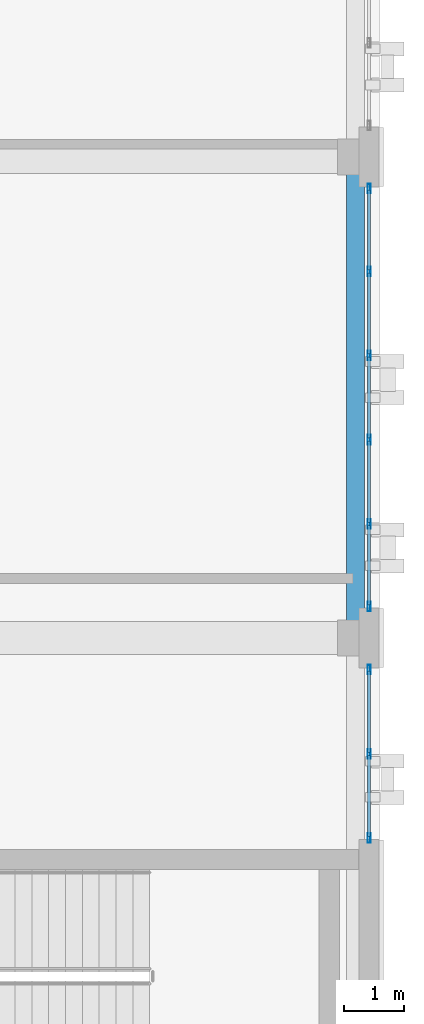
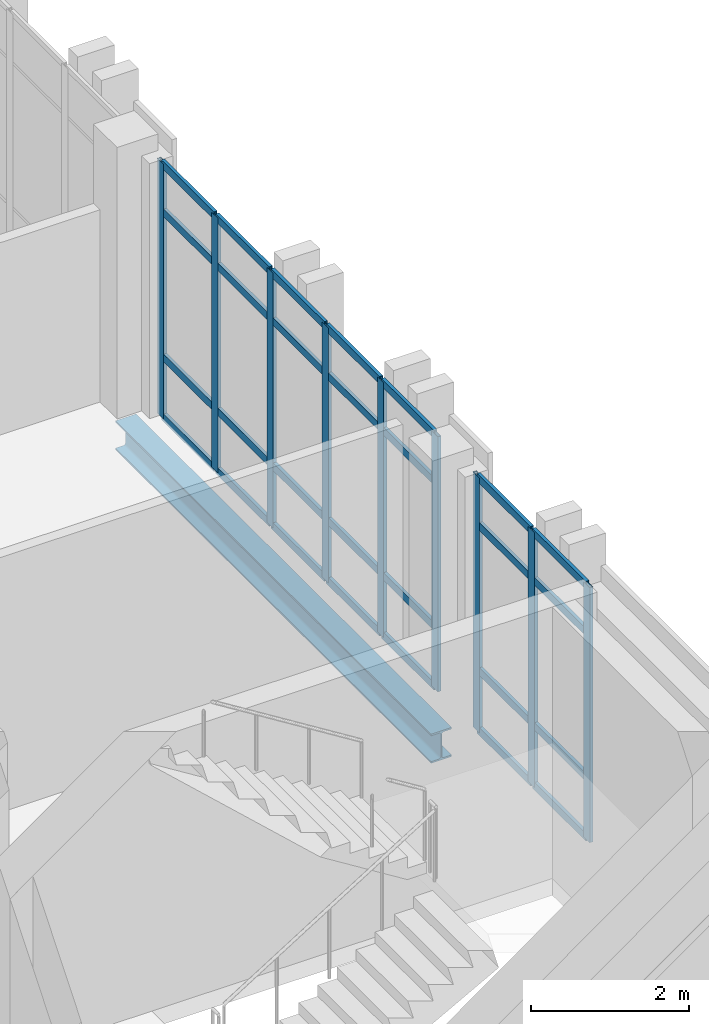
# One storey, part 9 of 22: 37 members, 1 beam, 2 elements without a shape of their own.
"""IFC4 building model written with IfcOpenShell, lengths in metres."""

from ifc_helpers import new_model, si_unit, direction, frame, origin, origin_2d, place, context, subcontext, project, spatial, hollow_rectangle, i_section, extrude, material, layer, layer_set, material_profile, profile_set, type_object, element, aggregate, save


model = new_model("IFC4")

# Units and contexts
model_context = context("Model", 3, precision=1e-05, world=origin(), true_north=direction((0.0, 1.0)))
body_context = subcontext(model_context, "Body", "Model", "MODEL_VIEW")
ifc_project = project(units=[si_unit("LENGTHUNIT", "METRE"), si_unit("AREAUNIT", "SQUARE_METRE"), si_unit("VOLUMEUNIT", "CUBIC_METRE"), si_unit("PLANEANGLEUNIT", "RADIAN"), si_unit("MASSUNIT", "GRAM", prefix="KILO")], contexts=[model_context])

# Site, building, storey
site_placement = place(None, origin())
site = spatial("IfcSite", under=ifc_project, at=site_placement, CompositionType="ELEMENT")
building_placement = place(site_placement, origin())
building = spatial("IfcBuilding", under=site, at=building_placement, Name="Qalavern Law Courts", CompositionType="ELEMENT")
storey_placement = place(building_placement, frame((0.0, 0.0, 35.39990234375)))
storey = spatial("IfcBuildingStorey", under=building, at=storey_placement, Name="L08", CompositionType="ELEMENT", Elevation=35.39990234375)

# Curtain wall, members
ifc_material_1 = material(Name="Anodised aluminium and insulated glazing", Category="aluminium")
ifc_layer = layer(ifc_material_1, 0.159912109375)
ifc_layer_set = layer_set([ifc_layer], Name="Anodised aluminium and insulated glazing")
curtain_wall_type = type_object("IfcCurtainWallType", Name="ENV-CW-CHAMB", PredefinedType="USERDEFINED", material=ifc_layer_set)
curtain_wall_1_placement = place(storey_placement, origin())
curtain_wall_1 = element("IfcCurtainWall", 1, at=curtain_wall_1_placement, inside=storey, type_object=curtain_wall_type, Name="V4 unitised curtain wall L08 east 1", ObjectType="UNITISED CURTAIN WALL", PredefinedType="USERDEFINED")
ifc_material_2 = material(Name="Anodised aluminium", Category="aluminium")
ifc_material_profile_1 = material_profile(ifc_material_2, hollow_rectangle(XDim=0.048095703125, YDim=0.159912109375, WallThickness=0.00390625, at=origin_2d()), Name="ALU MULLION 48x160")
ifc_profile_set_1 = profile_set([ifc_material_profile_1], Name="Anodised aluminium")
member_type_1 = type_object("IfcMemberType", Name="ENV-CWM-48x160", PredefinedType="MULLION", material=ifc_profile_set_1)
member_1_placement = place(storey_placement, frame((106.6298828125, 46.073974609375, 0.0), z_axis=(0.0, 0.0, 1.0), x_axis=(-1.0, 0.0, 0.0)))
member_1 = element("IfcMember", 2, at=member_1_placement, type_object=member_type_1, Name="CW-04 mullion 1", PredefinedType="MULLION", context=body_context, shape_type="SweptSolid", body=[
    extrude(hollow_rectangle(XDim=0.048095703125, YDim=0.159912109375, WallThickness=0.00390625, at=origin_2d()), origin(), (0.0, 0.0, 1.0), 3.945068359375),
])
member_2_placement = place(storey_placement, frame((106.6298828125, 47.47509765625, 0.0), z_axis=(0.0, 0.0, 1.0), x_axis=(-1.0, 0.0, 0.0)))
member_2 = element("IfcMember", 3, at=member_2_placement, type_object=member_type_1, Name="CW-04 mullion 2", PredefinedType="MULLION", context=body_context, shape_type="SweptSolid", body=[
    extrude(hollow_rectangle(XDim=0.048095703125, YDim=0.159912109375, WallThickness=0.00390625, at=origin_2d()), origin(), (0.0, 0.0, 1.0), 3.945068359375),
])
member_3_placement = place(storey_placement, frame((106.6298828125, 48.8759765625, 0.0), z_axis=(0.0, 0.0, 1.0), x_axis=(-1.0, 0.0, 0.0)))
member_3 = element("IfcMember", 4, at=member_3_placement, type_object=member_type_1, Name="CW-04 mullion 3", PredefinedType="MULLION", context=body_context, shape_type="SweptSolid", body=[
    extrude(hollow_rectangle(XDim=0.048095703125, YDim=0.159912109375, WallThickness=0.00390625, at=origin_2d()), origin(), (0.0, 0.0, 1.0), 3.945068359375),
])

curtain_wall_2_placement = place(storey_placement, origin())
curtain_wall_2 = element("IfcCurtainWall", 5, at=curtain_wall_2_placement, inside=storey, type_object=curtain_wall_type, Name="V4 unitised curtain wall L08 east 2", ObjectType="UNITISED CURTAIN WALL", PredefinedType="USERDEFINED")
member_4_placement = place(storey_placement, frame((106.6298828125, 49.924072265625, 0.0), z_axis=(0.0, 0.0, 1.0), x_axis=(-1.0, 0.0, 0.0)))
member_4 = element("IfcMember", 6, at=member_4_placement, type_object=member_type_1, Name="CW-04 mullion 1", PredefinedType="MULLION", context=body_context, shape_type="SweptSolid", body=[
    extrude(hollow_rectangle(XDim=0.048095703125, YDim=0.159912109375, WallThickness=0.00390625, at=origin_2d()), origin(), (0.0, 0.0, 1.0), 3.945068359375),
])
member_5_placement = place(storey_placement, frame((106.6298828125, 51.300048828125, 0.0), z_axis=(0.0, 0.0, 1.0), x_axis=(-1.0, 0.0, 0.0)))
member_5 = element("IfcMember", 7, at=member_5_placement, type_object=member_type_1, Name="CW-04 mullion 2", PredefinedType="MULLION", context=body_context, shape_type="SweptSolid", body=[
    extrude(hollow_rectangle(XDim=0.048095703125, YDim=0.159912109375, WallThickness=0.00390625, at=origin_2d()), origin(), (0.0, 0.0, 1.0), 3.945068359375),
])
member_6_placement = place(storey_placement, frame((106.6298828125, 52.699951171875, 0.0), z_axis=(0.0, 0.0, 1.0), x_axis=(-1.0, 0.0, 0.0)))
member_6 = element("IfcMember", 8, at=member_6_placement, type_object=member_type_1, Name="CW-04 mullion 3", PredefinedType="MULLION", context=body_context, shape_type="SweptSolid", body=[
    extrude(hollow_rectangle(XDim=0.048095703125, YDim=0.159912109375, WallThickness=0.00390625, at=origin_2d()), origin(), (0.0, 0.0, 1.0), 3.945068359375),
])
member_7_placement = place(storey_placement, frame((106.6298828125, 54.10009765625, 0.0), z_axis=(0.0, 0.0, 1.0), x_axis=(-1.0, 0.0, 0.0)))
member_7 = element("IfcMember", 9, at=member_7_placement, type_object=member_type_1, Name="CW-04 mullion 4", PredefinedType="MULLION", context=body_context, shape_type="SweptSolid", body=[
    extrude(hollow_rectangle(XDim=0.048095703125, YDim=0.159912109375, WallThickness=0.00390625, at=origin_2d()), origin(), (0.0, 0.0, 1.0), 3.945068359375),
])
member_8_placement = place(storey_placement, frame((106.6298828125, 55.5, 0.0), z_axis=(0.0, 0.0, 1.0), x_axis=(-1.0, 0.0, 0.0)))
member_8 = element("IfcMember", 10, at=member_8_placement, type_object=member_type_1, Name="CW-04 mullion 5", PredefinedType="MULLION", context=body_context, shape_type="SweptSolid", body=[
    extrude(hollow_rectangle(XDim=0.048095703125, YDim=0.159912109375, WallThickness=0.00390625, at=origin_2d()), origin(), (0.0, 0.0, 1.0), 3.945068359375),
])
member_9_placement = place(storey_placement, frame((106.6298828125, 56.8759765625, 0.0), z_axis=(0.0, 0.0, 1.0), x_axis=(-1.0, 0.0, 0.0)))
member_9 = element("IfcMember", 11, at=member_9_placement, type_object=member_type_1, Name="CW-04 mullion 6", PredefinedType="MULLION", context=body_context, shape_type="SweptSolid", body=[
    extrude(hollow_rectangle(XDim=0.048095703125, YDim=0.159912109375, WallThickness=0.00390625, at=origin_2d()), origin(), (0.0, 0.0, 1.0), 3.945068359375),
])

# Member
ifc_material_profile_2 = material_profile(ifc_material_2, hollow_rectangle(XDim=0.048095703125, YDim=0.1201171875, WallThickness=0.00390625, at=origin_2d()), Name="ALU TRANSOM 48x120")
ifc_profile_set_2 = profile_set([ifc_material_profile_2], Name="Anodised aluminium")
member_type_2 = type_object("IfcMemberType", Name="ENV-CWT-48x120", PredefinedType="USERDEFINED", material=ifc_profile_set_2)
member_10_placement = place(storey_placement, frame((106.6298828125, 46.097900390625, 0.024169921875), z_axis=(0.0, 1.0, 0.0), x_axis=(-1.0, 0.0, 0.0)))
member_10 = element("IfcMember", 12, at=member_10_placement, type_object=member_type_2, Name="CW-04 transom 1.1", ObjectType="TRANSOM", PredefinedType="USERDEFINED", context=body_context, shape_type="SweptSolid", body=[
    extrude(hollow_rectangle(XDim=0.048095703125, YDim=0.1201171875, WallThickness=0.00390625, at=origin_2d()), origin(), (0.0, 0.0, 1.0), 1.35302734375),
])

member_11_placement = place(storey_placement, frame((106.6298828125, 46.097900390625, 0.9501953125), z_axis=(0.0, 1.0, 0.0), x_axis=(-1.0, 0.0, 0.0)))
member_11 = element("IfcMember", 13, at=member_11_placement, type_object=member_type_2, Name="CW-04 transom 1.2", ObjectType="TRANSOM", PredefinedType="USERDEFINED", context=body_context, shape_type="SweptSolid", body=[
    extrude(hollow_rectangle(XDim=0.048095703125, YDim=0.1201171875, WallThickness=0.00390625, at=origin_2d()), origin(), (0.0, 0.0, 1.0), 1.35302734375),
])

member_12_placement = place(storey_placement, frame((106.6298828125, 46.097900390625, 3.195068359375), z_axis=(0.0, 1.0, 0.0), x_axis=(-1.0, 0.0, 0.0)))
member_12 = element("IfcMember", 14, at=member_12_placement, type_object=member_type_2, Name="CW-04 transom 1.3", ObjectType="TRANSOM", PredefinedType="USERDEFINED", context=body_context, shape_type="SweptSolid", body=[
    extrude(hollow_rectangle(XDim=0.048095703125, YDim=0.1201171875, WallThickness=0.00390625, at=origin_2d()), origin(), (0.0, 0.0, 1.0), 1.35302734375),
])

member_13_placement = place(storey_placement, frame((106.6298828125, 46.097900390625, 3.921142578125), z_axis=(0.0, 1.0, 0.0), x_axis=(-1.0, 0.0, 0.0)))
member_13 = element("IfcMember", 15, at=member_13_placement, type_object=member_type_2, Name="CW-04 transom 1.4", ObjectType="TRANSOM", PredefinedType="USERDEFINED", context=body_context, shape_type="SweptSolid", body=[
    extrude(hollow_rectangle(XDim=0.048095703125, YDim=0.1201171875, WallThickness=0.00390625, at=origin_2d()), origin(), (0.0, 0.0, 1.0), 1.35302734375),
])

member_14_placement = place(storey_placement, frame((106.6298828125, 47.4990234375, 0.024169921875), z_axis=(0.0, 1.0, 0.0), x_axis=(-1.0, 0.0, 0.0)))
member_14 = element("IfcMember", 16, at=member_14_placement, type_object=member_type_2, Name="CW-04 transom 2.1", ObjectType="TRANSOM", PredefinedType="USERDEFINED", context=body_context, shape_type="SweptSolid", body=[
    extrude(hollow_rectangle(XDim=0.048095703125, YDim=0.1201171875, WallThickness=0.00390625, at=origin_2d()), origin(), (0.0, 0.0, 1.0), 1.35302734375),
])

member_15_placement = place(storey_placement, frame((106.6298828125, 47.4990234375, 0.9501953125), z_axis=(0.0, 1.0, 0.0), x_axis=(-1.0, 0.0, 0.0)))
member_15 = element("IfcMember", 17, at=member_15_placement, type_object=member_type_2, Name="CW-04 transom 2.2", ObjectType="TRANSOM", PredefinedType="USERDEFINED", context=body_context, shape_type="SweptSolid", body=[
    extrude(hollow_rectangle(XDim=0.048095703125, YDim=0.1201171875, WallThickness=0.00390625, at=origin_2d()), origin(), (0.0, 0.0, 1.0), 1.35302734375),
])

member_16_placement = place(storey_placement, frame((106.6298828125, 47.4990234375, 3.195068359375), z_axis=(0.0, 1.0, 0.0), x_axis=(-1.0, 0.0, 0.0)))
member_16 = element("IfcMember", 18, at=member_16_placement, type_object=member_type_2, Name="CW-04 transom 2.3", ObjectType="TRANSOM", PredefinedType="USERDEFINED", context=body_context, shape_type="SweptSolid", body=[
    extrude(hollow_rectangle(XDim=0.048095703125, YDim=0.1201171875, WallThickness=0.00390625, at=origin_2d()), origin(), (0.0, 0.0, 1.0), 1.35302734375),
])

member_17_placement = place(storey_placement, frame((106.6298828125, 47.4990234375, 3.921142578125), z_axis=(0.0, 1.0, 0.0), x_axis=(-1.0, 0.0, 0.0)))
member_17 = element("IfcMember", 19, at=member_17_placement, type_object=member_type_2, Name="CW-04 transom 2.4", ObjectType="TRANSOM", PredefinedType="USERDEFINED", context=body_context, shape_type="SweptSolid", body=[
    extrude(hollow_rectangle(XDim=0.048095703125, YDim=0.1201171875, WallThickness=0.00390625, at=origin_2d()), origin(), (0.0, 0.0, 1.0), 1.35302734375),
])

aggregate(curtain_wall_1, [member_1, member_2, member_3, member_10, member_11, member_12, member_13, member_14, member_15, member_16, member_17])

member_18_placement = place(storey_placement, frame((106.6298828125, 49.947998046875, 0.024169921875), z_axis=(0.0, 1.0, 0.0), x_axis=(-1.0, 0.0, 0.0)))
member_18 = element("IfcMember", 20, at=member_18_placement, type_object=member_type_2, Name="CW-04 transom 1.1", ObjectType="TRANSOM", PredefinedType="USERDEFINED", context=body_context, shape_type="SweptSolid", body=[
    extrude(hollow_rectangle(XDim=0.048095703125, YDim=0.1201171875, WallThickness=0.00390625, at=origin_2d()), origin(), (0.0, 0.0, 1.0), 1.327880859375),
])

member_19_placement = place(storey_placement, frame((106.6298828125, 49.947998046875, 0.9501953125), z_axis=(0.0, 1.0, 0.0), x_axis=(-1.0, 0.0, 0.0)))
member_19 = element("IfcMember", 21, at=member_19_placement, type_object=member_type_2, Name="CW-04 transom 1.2", ObjectType="TRANSOM", PredefinedType="USERDEFINED", context=body_context, shape_type="SweptSolid", body=[
    extrude(hollow_rectangle(XDim=0.048095703125, YDim=0.1201171875, WallThickness=0.00390625, at=origin_2d()), origin(), (0.0, 0.0, 1.0), 1.327880859375),
])

member_20_placement = place(storey_placement, frame((106.6298828125, 49.947998046875, 3.195068359375), z_axis=(0.0, 1.0, 0.0), x_axis=(-1.0, 0.0, 0.0)))
member_20 = element("IfcMember", 22, at=member_20_placement, type_object=member_type_2, Name="CW-04 transom 1.3", ObjectType="TRANSOM", PredefinedType="USERDEFINED", context=body_context, shape_type="SweptSolid", body=[
    extrude(hollow_rectangle(XDim=0.048095703125, YDim=0.1201171875, WallThickness=0.00390625, at=origin_2d()), origin(), (0.0, 0.0, 1.0), 1.327880859375),
])

member_21_placement = place(storey_placement, frame((106.6298828125, 49.947998046875, 3.921142578125), z_axis=(0.0, 1.0, 0.0), x_axis=(-1.0, 0.0, 0.0)))
member_21 = element("IfcMember", 23, at=member_21_placement, type_object=member_type_2, Name="CW-04 transom 1.4", ObjectType="TRANSOM", PredefinedType="USERDEFINED", context=body_context, shape_type="SweptSolid", body=[
    extrude(hollow_rectangle(XDim=0.048095703125, YDim=0.1201171875, WallThickness=0.00390625, at=origin_2d()), origin(), (0.0, 0.0, 1.0), 1.327880859375),
])

member_22_placement = place(storey_placement, frame((106.6298828125, 51.323974609375, 0.024169921875), z_axis=(0.0, 1.0, 0.0), x_axis=(-1.0, 0.0, 0.0)))
member_22 = element("IfcMember", 24, at=member_22_placement, type_object=member_type_2, Name="CW-04 transom 2.1", ObjectType="TRANSOM", PredefinedType="USERDEFINED", context=body_context, shape_type="SweptSolid", body=[
    extrude(hollow_rectangle(XDim=0.048095703125, YDim=0.1201171875, WallThickness=0.00390625, at=origin_2d()), origin(), (0.0, 0.0, 1.0), 1.35205078125),
])

member_23_placement = place(storey_placement, frame((106.6298828125, 51.323974609375, 0.9501953125), z_axis=(0.0, 1.0, 0.0), x_axis=(-1.0, 0.0, 0.0)))
member_23 = element("IfcMember", 25, at=member_23_placement, type_object=member_type_2, Name="CW-04 transom 2.2", ObjectType="TRANSOM", PredefinedType="USERDEFINED", context=body_context, shape_type="SweptSolid", body=[
    extrude(hollow_rectangle(XDim=0.048095703125, YDim=0.1201171875, WallThickness=0.00390625, at=origin_2d()), origin(), (0.0, 0.0, 1.0), 1.35205078125),
])

member_24_placement = place(storey_placement, frame((106.6298828125, 51.323974609375, 3.195068359375), z_axis=(0.0, 1.0, 0.0), x_axis=(-1.0, 0.0, 0.0)))
member_24 = element("IfcMember", 26, at=member_24_placement, type_object=member_type_2, Name="CW-04 transom 2.3", ObjectType="TRANSOM", PredefinedType="USERDEFINED", context=body_context, shape_type="SweptSolid", body=[
    extrude(hollow_rectangle(XDim=0.048095703125, YDim=0.1201171875, WallThickness=0.00390625, at=origin_2d()), origin(), (0.0, 0.0, 1.0), 1.35205078125),
])

member_25_placement = place(storey_placement, frame((106.6298828125, 51.323974609375, 3.921142578125), z_axis=(0.0, 1.0, 0.0), x_axis=(-1.0, 0.0, 0.0)))
member_25 = element("IfcMember", 27, at=member_25_placement, type_object=member_type_2, Name="CW-04 transom 2.4", ObjectType="TRANSOM", PredefinedType="USERDEFINED", context=body_context, shape_type="SweptSolid", body=[
    extrude(hollow_rectangle(XDim=0.048095703125, YDim=0.1201171875, WallThickness=0.00390625, at=origin_2d()), origin(), (0.0, 0.0, 1.0), 1.35205078125),
])

member_26_placement = place(storey_placement, frame((106.6298828125, 52.72412109375, 0.024169921875), z_axis=(0.0, 1.0, 0.0), x_axis=(-1.0, 0.0, 0.0)))
member_26 = element("IfcMember", 28, at=member_26_placement, type_object=member_type_2, Name="CW-04 transom 3.1", ObjectType="TRANSOM", PredefinedType="USERDEFINED", context=body_context, shape_type="SweptSolid", body=[
    extrude(hollow_rectangle(XDim=0.048095703125, YDim=0.1201171875, WallThickness=0.00390625, at=origin_2d()), origin(), (0.0, 0.0, 1.0), 1.351806640625),
])

member_27_placement = place(storey_placement, frame((106.6298828125, 52.72412109375, 0.9501953125), z_axis=(0.0, 1.0, 0.0), x_axis=(-1.0, 0.0, 0.0)))
member_27 = element("IfcMember", 29, at=member_27_placement, type_object=member_type_2, Name="CW-04 transom 3.2", ObjectType="TRANSOM", PredefinedType="USERDEFINED", context=body_context, shape_type="SweptSolid", body=[
    extrude(hollow_rectangle(XDim=0.048095703125, YDim=0.1201171875, WallThickness=0.00390625, at=origin_2d()), origin(), (0.0, 0.0, 1.0), 1.351806640625),
])

member_28_placement = place(storey_placement, frame((106.6298828125, 52.72412109375, 3.195068359375), z_axis=(0.0, 1.0, 0.0), x_axis=(-1.0, 0.0, 0.0)))
member_28 = element("IfcMember", 30, at=member_28_placement, type_object=member_type_2, Name="CW-04 transom 3.3", ObjectType="TRANSOM", PredefinedType="USERDEFINED", context=body_context, shape_type="SweptSolid", body=[
    extrude(hollow_rectangle(XDim=0.048095703125, YDim=0.1201171875, WallThickness=0.00390625, at=origin_2d()), origin(), (0.0, 0.0, 1.0), 1.351806640625),
])

member_29_placement = place(storey_placement, frame((106.6298828125, 52.72412109375, 3.921142578125), z_axis=(0.0, 1.0, 0.0), x_axis=(-1.0, 0.0, 0.0)))
member_29 = element("IfcMember", 31, at=member_29_placement, type_object=member_type_2, Name="CW-04 transom 3.4", ObjectType="TRANSOM", PredefinedType="USERDEFINED", context=body_context, shape_type="SweptSolid", body=[
    extrude(hollow_rectangle(XDim=0.048095703125, YDim=0.1201171875, WallThickness=0.00390625, at=origin_2d()), origin(), (0.0, 0.0, 1.0), 1.351806640625),
])

member_30_placement = place(storey_placement, frame((106.6298828125, 54.1240234375, 0.024169921875), z_axis=(0.0, 1.0, 0.0), x_axis=(-1.0, 0.0, 0.0)))
member_30 = element("IfcMember", 32, at=member_30_placement, type_object=member_type_2, Name="CW-04 transom 4.1", ObjectType="TRANSOM", PredefinedType="USERDEFINED", context=body_context, shape_type="SweptSolid", body=[
    extrude(hollow_rectangle(XDim=0.048095703125, YDim=0.1201171875, WallThickness=0.00390625, at=origin_2d()), origin(), (0.0, 0.0, 1.0), 1.35205078125),
])

member_31_placement = place(storey_placement, frame((106.6298828125, 54.1240234375, 0.9501953125), z_axis=(0.0, 1.0, 0.0), x_axis=(-1.0, 0.0, 0.0)))
member_31 = element("IfcMember", 33, at=member_31_placement, type_object=member_type_2, Name="CW-04 transom 4.2", ObjectType="TRANSOM", PredefinedType="USERDEFINED", context=body_context, shape_type="SweptSolid", body=[
    extrude(hollow_rectangle(XDim=0.048095703125, YDim=0.1201171875, WallThickness=0.00390625, at=origin_2d()), origin(), (0.0, 0.0, 1.0), 1.35205078125),
])

member_32_placement = place(storey_placement, frame((106.6298828125, 54.1240234375, 3.195068359375), z_axis=(0.0, 1.0, 0.0), x_axis=(-1.0, 0.0, 0.0)))
member_32 = element("IfcMember", 34, at=member_32_placement, type_object=member_type_2, Name="CW-04 transom 4.3", ObjectType="TRANSOM", PredefinedType="USERDEFINED", context=body_context, shape_type="SweptSolid", body=[
    extrude(hollow_rectangle(XDim=0.048095703125, YDim=0.1201171875, WallThickness=0.00390625, at=origin_2d()), origin(), (0.0, 0.0, 1.0), 1.35205078125),
])

member_33_placement = place(storey_placement, frame((106.6298828125, 54.1240234375, 3.921142578125), z_axis=(0.0, 1.0, 0.0), x_axis=(-1.0, 0.0, 0.0)))
member_33 = element("IfcMember", 35, at=member_33_placement, type_object=member_type_2, Name="CW-04 transom 4.4", ObjectType="TRANSOM", PredefinedType="USERDEFINED", context=body_context, shape_type="SweptSolid", body=[
    extrude(hollow_rectangle(XDim=0.048095703125, YDim=0.1201171875, WallThickness=0.00390625, at=origin_2d()), origin(), (0.0, 0.0, 1.0), 1.35205078125),
])

member_34_placement = place(storey_placement, frame((106.6298828125, 55.52392578125, 0.024169921875), z_axis=(0.0, 1.0, 0.0), x_axis=(-1.0, 0.0, 0.0)))
member_34 = element("IfcMember", 36, at=member_34_placement, type_object=member_type_2, Name="CW-04 transom 5.1", ObjectType="TRANSOM", PredefinedType="USERDEFINED", context=body_context, shape_type="SweptSolid", body=[
    extrude(hollow_rectangle(XDim=0.048095703125, YDim=0.1201171875, WallThickness=0.00390625, at=origin_2d()), origin(), (0.0, 0.0, 1.0), 1.328125),
])

member_35_placement = place(storey_placement, frame((106.6298828125, 55.52392578125, 0.9501953125), z_axis=(0.0, 1.0, 0.0), x_axis=(-1.0, 0.0, 0.0)))
member_35 = element("IfcMember", 37, at=member_35_placement, type_object=member_type_2, Name="CW-04 transom 5.2", ObjectType="TRANSOM", PredefinedType="USERDEFINED", context=body_context, shape_type="SweptSolid", body=[
    extrude(hollow_rectangle(XDim=0.048095703125, YDim=0.1201171875, WallThickness=0.00390625, at=origin_2d()), origin(), (0.0, 0.0, 1.0), 1.328125),
])

member_36_placement = place(storey_placement, frame((106.6298828125, 55.52392578125, 3.195068359375), z_axis=(0.0, 1.0, 0.0), x_axis=(-1.0, 0.0, 0.0)))
member_36 = element("IfcMember", 38, at=member_36_placement, type_object=member_type_2, Name="CW-04 transom 5.3", ObjectType="TRANSOM", PredefinedType="USERDEFINED", context=body_context, shape_type="SweptSolid", body=[
    extrude(hollow_rectangle(XDim=0.048095703125, YDim=0.1201171875, WallThickness=0.00390625, at=origin_2d()), origin(), (0.0, 0.0, 1.0), 1.328125),
])

member_37_placement = place(storey_placement, frame((106.6298828125, 55.52392578125, 3.921142578125), z_axis=(0.0, 1.0, 0.0), x_axis=(-1.0, 0.0, 0.0)))
member_37 = element("IfcMember", 39, at=member_37_placement, type_object=member_type_2, Name="CW-04 transom 5.4", ObjectType="TRANSOM", PredefinedType="USERDEFINED", context=body_context, shape_type="SweptSolid", body=[
    extrude(hollow_rectangle(XDim=0.048095703125, YDim=0.1201171875, WallThickness=0.00390625, at=origin_2d()), origin(), (0.0, 0.0, 1.0), 1.328125),
])

aggregate(curtain_wall_2, [member_4, member_5, member_6, member_7, member_8, member_9, member_18, member_19, member_20, member_21, member_22, member_23, member_24, member_25, member_26, member_27, member_28, member_29, member_30, member_31, member_32, member_33, member_34, member_35, member_36, member_37])

# Beam
ifc_material_3 = material(Name="Steel S355", Category="steel")
ifc_material_profile_3 = material_profile(ifc_material_3, i_section(OverallWidth=0.300048828125, OverallDepth=0.449951171875, WebThickness=0.013916015625, FlangeThickness=0.02587890625, FilletRadius=0.027099609375, at=origin_2d()), Name="HEB 450")
ifc_profile_set_3 = profile_set([ifc_material_profile_3], Name="Steel S355")
beam_type = type_object("IfcBeamType", Name="STR-SP-HEB450", PredefinedType="SPANDREL", material=ifc_profile_set_3)
beam_placement = place(storey_placement, frame((106.39990234375, 49.39990234375, -0.48486328125), z_axis=(0.0, 1.0, 0.0), x_axis=(-1.0, 0.0, 0.0)))
element("IfcBeam", 40, at=beam_placement, inside=storey, type_object=beam_type, Name="V4 Y-beam 3-2 L08", PredefinedType="SPANDREL", context=body_context, shape_type="SweptSolid", body=[
    extrude(i_section(OverallWidth=0.300048828125, OverallDepth=0.449951171875, WebThickness=0.013916015625, FlangeThickness=0.02587890625, FilletRadius=0.027099609375, at=origin_2d()), origin(), (0.0, 0.0, 1.0), 8.0),
])

save(model, "model.ifc")
